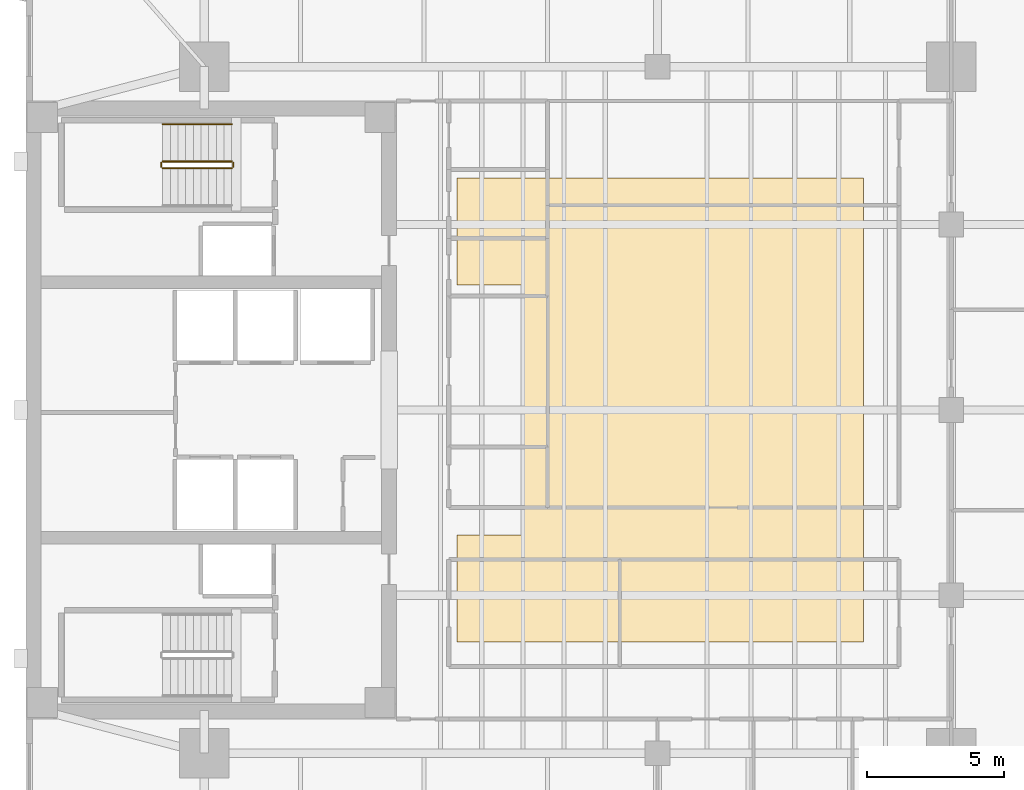
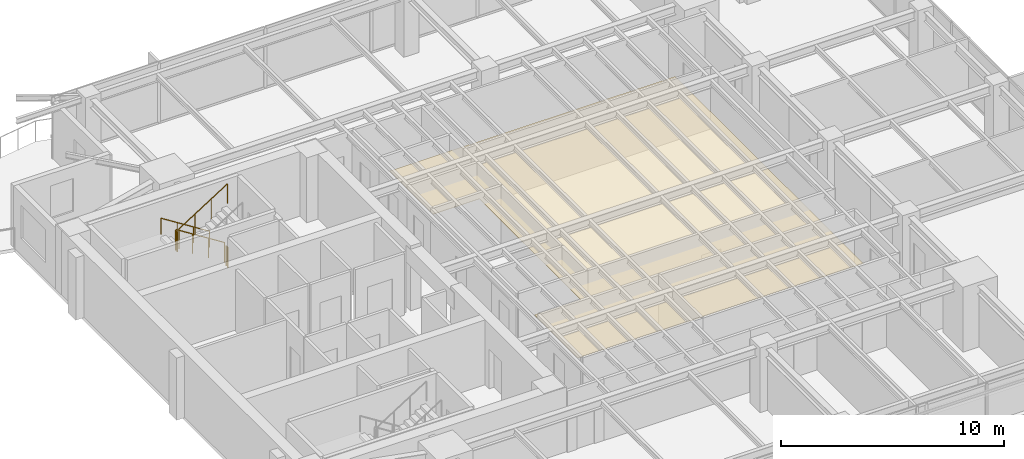
# One storey, part 13 of 14: 5 railings, 1 covering.
"""IFC4 building model written with IfcOpenShell, lengths in metres."""

from ifc_helpers import new_model, si_unit, direction, frame, origin, origin_2d, place, context, subcontext, project, spatial, polyline, circle, outline, extrude, material, layer, layer_set, type_object, element, save


model = new_model("IFC4")

# Units and contexts
model_context = context("Model", 3, precision=1e-05, world=origin(), true_north=direction((0.0, 1.0)))
body_context = subcontext(model_context, "Body", "Model", "MODEL_VIEW")
ifc_project = project(units=[si_unit("LENGTHUNIT", "METRE"), si_unit("AREAUNIT", "SQUARE_METRE"), si_unit("VOLUMEUNIT", "CUBIC_METRE"), si_unit("PLANEANGLEUNIT", "RADIAN"), si_unit("MASSUNIT", "GRAM", prefix="KILO")], contexts=[model_context])

# Site, building, storey
site_placement = place(None, origin())
site = spatial("IfcSite", under=ifc_project, at=site_placement, CompositionType="ELEMENT")
building_placement = place(site_placement, origin())
building = spatial("IfcBuilding", under=site, at=building_placement, Name="Kinhvarn Gate Tower", CompositionType="ELEMENT")
storey_placement = place(building_placement, frame((0.0, 0.0, 230.64990234375)))
storey = spatial("IfcBuildingStorey", under=building, at=storey_placement, Name="L61", CompositionType="ELEMENT", Elevation=230.64990234375)

# Covering
ifc_material_1 = material(Name="Mineral-fibre acoustic ceiling tile")
ifc_layer = layer(ifc_material_1, 0.02001953125)
ifc_layer_set = layer_set([ifc_layer], Name="Mineral-fibre acoustic ceiling tile")
covering_type = type_object("IfcCoveringType", Name="COV-CEIL-20", PredefinedType="CEILING", material=ifc_layer_set)
covering_placement = place(storey_placement, frame((0.0, 0.0, 2.650146484375)))
element("IfcCovering", 1, at=covering_placement, inside=storey, type_object=covering_type, Name="Suspended Acoustic Ceiling Tile (L61-1)", PredefinedType="CEILING", context=body_context, shape_type="SweptSolid", body=[
    extrude(outline(polyline([(35.0, 33.699951171875), (35.0, 16.800048828125), (20.199951171875, 16.800048828125), (20.199951171875, 20.699951171875), (22.60009765625, 20.699951171875), (22.60009765625, 29.800048828125), (20.199951171875, 29.800048828125), (20.199951171875, 33.699951171875), (35.0, 33.699951171875)])), origin(), (0.0, 0.0, 1.0), 0.02001953125),
])

# Railings
ifc_material_2 = material(Name="Steel S355", Category="steel")
railing_type_1 = type_object("IfcRailingType", Name="RL-ST-GRD", PredefinedType="BALUSTRADE", material=ifc_material_2)
railing_1_placement = place(storey_placement, frame((12.0, 34.300048828125, 0.177490234375)))
element("IfcRailing", 2, at=railing_1_placement, inside=storey, type_object=railing_type_1, Name="L61 ST2 stair guard 1", PredefinedType="BALUSTRADE", context=body_context, shape_type="SweptSolid", body=[
    extrude(circle(Radius=0.02392578125, at=origin_2d()), frame((0.0, 0.0, 1.076171875), z_axis=(-0.84456994832, 0.0, 0.535445237532), x_axis=(0.0, -1.0, 0.0)), (0.0, 0.0, 1.0), 2.98388671875),
    extrude(circle(Radius=0.02099609375, at=origin_2d()), origin(), (0.0, 0.0, 1.0), 1.052001953125),
    extrude(circle(Radius=0.02099609375, at=origin_2d()), frame((-0.840087890625, 0.0, 0.532470703125)), (0.0, 0.0, 1.0), 1.052001953125),
    extrude(circle(Radius=0.02099609375, at=origin_2d()), frame((-1.679931640625, 0.0, 1.065185546875)), (0.0, 0.0, 1.0), 1.052001953125),
    extrude(circle(Radius=0.02099609375, at=origin_2d()), frame((-2.52001953125, 0.0, 1.59765625)), (0.0, 0.0, 1.0), 1.052001953125),
])
railing_2_placement = place(storey_placement, frame((9.429931640625, 34.25, 1.775146484375)))
element("IfcRailing", 3, at=railing_2_placement, inside=storey, type_object=railing_type_1, Name="L61 ST2 stair guard 2", PredefinedType="BALUSTRADE", context=body_context, shape_type="SweptSolid", body=[
    extrude(circle(Radius=0.02392578125, at=origin_2d()), frame((0.0, 0.0, 1.076171875), z_axis=(0.0, -1.0, 0.0), x_axis=(1.0, 0.0, 0.0)), (0.0, 0.0, 1.0), 0.14990234375),
    extrude(circle(Radius=0.02099609375, at=origin_2d()), origin(), (0.0, 0.0, 1.0), 1.052001953125),
    extrude(circle(Radius=0.02099609375, at=origin_2d()), frame((0.0, -0.14990234375, 0.0)), (0.0, 0.0, 1.0), 1.052001953125),
])
railing_3_placement = place(storey_placement, frame((9.47998046875, 34.050048828125, 1.95263671875)))
element("IfcRailing", 4, at=railing_3_placement, inside=storey, type_object=railing_type_1, Name="L61 ST2 stair guard 3", PredefinedType="BALUSTRADE", context=body_context, shape_type="SweptSolid", body=[
    extrude(circle(Radius=0.02392578125, at=origin_2d()), frame((0.0, 0.0, 1.076171875), z_axis=(0.84460694969, 0.0, 0.535386869969), x_axis=(0.0, 1.0, 0.0)), (0.0, 0.0, 1.0), 2.983642578125),
    extrude(circle(Radius=0.02099609375, at=origin_2d()), origin(), (0.0, 0.0, 1.0), 1.052001953125),
    extrude(circle(Radius=0.02099609375, at=origin_2d()), frame((0.840087890625, 0.0, 0.532470703125)), (0.0, 0.0, 1.0), 1.052001953125),
    extrude(circle(Radius=0.02099609375, at=origin_2d()), frame((1.679931640625, 0.0, 1.06494140625)), (0.0, 0.0, 1.0), 1.052001953125),
    extrude(circle(Radius=0.02099609375, at=origin_2d()), frame((2.52001953125, 0.0, 1.597412109375)), (0.0, 0.0, 1.0), 1.052001953125),
])
railing_4_placement = place(storey_placement, frame((12.050048828125, 34.25, 0.0)))
element("IfcRailing", 5, at=railing_4_placement, inside=storey, type_object=railing_type_1, Name="L61 ST2 stair guard 4", PredefinedType="BALUSTRADE", context=body_context, shape_type="SweptSolid", body=[
    extrude(circle(Radius=0.02392578125, at=origin_2d()), frame((0.0, 0.0, 1.076171875), z_axis=(0.0, -1.0, 0.0), x_axis=(1.0, 0.0, 0.0)), (0.0, 0.0, 1.0), 0.14990234375),
    extrude(circle(Radius=0.02099609375, at=origin_2d()), origin(), (0.0, 0.0, 1.0), 1.052001953125),
    extrude(circle(Radius=0.02099609375, at=origin_2d()), frame((0.0, -0.14990234375, 0.0)), (0.0, 0.0, 1.0), 1.052001953125),
])
railing_type_2 = type_object("IfcRailingType", Name="RL-ST-HND", PredefinedType="HANDRAIL", material=ifc_material_2)
railing_5_placement = place(storey_placement, frame((12.0, 35.64990234375, 0.177490234375)))
element("IfcRailing", 6, at=railing_5_placement, inside=storey, type_object=railing_type_2, Name="L61 ST2 stair handrail 1", PredefinedType="HANDRAIL", context=body_context, shape_type="SweptSolid", body=[
    extrude(circle(Radius=0.02392578125, at=origin_2d()), frame((0.0, 0.0, 0.8759765625), z_axis=(-0.84456994832, 0.0, 0.535445237532), x_axis=(0.0, -1.0, 0.0)), (0.0, 0.0, 1.0), 2.98388671875),
    extrude(circle(Radius=0.02099609375, at=origin_2d()), origin(), (0.0, 0.0, 1.0), 0.851806640625),
    extrude(circle(Radius=0.02099609375, at=origin_2d()), frame((-0.840087890625, 0.0, 0.532470703125)), (0.0, 0.0, 1.0), 0.851806640625),
    extrude(circle(Radius=0.02099609375, at=origin_2d()), frame((-1.679931640625, 0.0, 1.065185546875)), (0.0, 0.0, 1.0), 0.851806640625),
    extrude(circle(Radius=0.02099609375, at=origin_2d()), frame((-2.52001953125, 0.0, 1.59765625)), (0.0, 0.0, 1.0), 0.851806640625),
])

save(model, "model.ifc")
